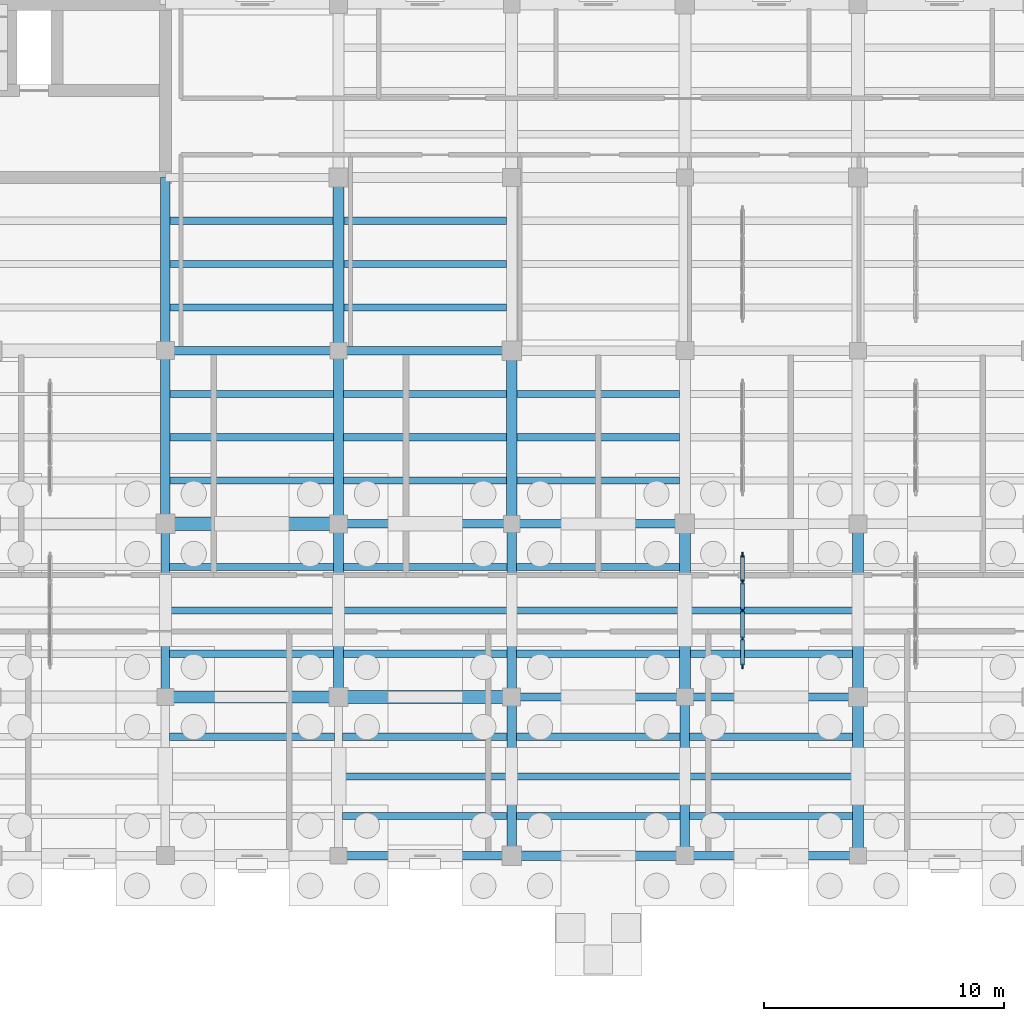
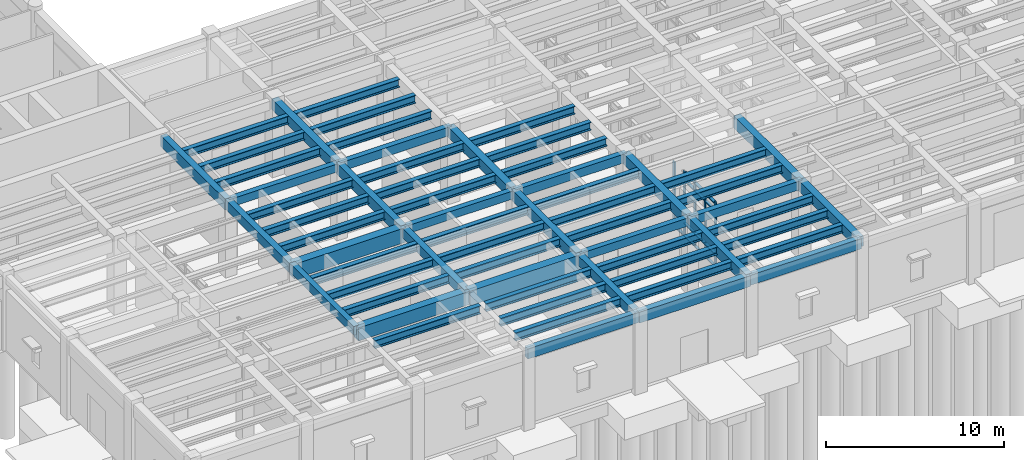
# One storey, part 16 of 100: 61 beams, 18 members, 1 element without a shape of its own.
"""IFC4 building model written with IfcOpenShell, lengths in metres."""

from ifc_helpers import new_model, si_unit, direction, frame, origin, origin_2d, place, context, subcontext, project, spatial, rectangle, i_section, extrude, material, material_profile, profile_set, type_object, element, aggregate, save


model = new_model("IFC4")

# Units and contexts
model_context = context("Model", 3, precision=1e-05, world=origin(), true_north=direction((0.0, 1.0)))
body_context = subcontext(model_context, "Body", "Model", "MODEL_VIEW")
ifc_project = project(units=[si_unit("LENGTHUNIT", "METRE"), si_unit("AREAUNIT", "SQUARE_METRE"), si_unit("VOLUMEUNIT", "CUBIC_METRE"), si_unit("PLANEANGLEUNIT", "RADIAN"), si_unit("MASSUNIT", "GRAM", prefix="KILO")], contexts=[model_context])

# Site, building, storey
site_placement = place(None, origin())
site = spatial("IfcSite", under=ifc_project, at=site_placement, CompositionType="ELEMENT")
building_placement = place(site_placement, origin())
building = spatial("IfcBuilding", under=site, at=building_placement, Name="Mithqara Police Headquarters", CompositionType="ELEMENT")
storey_placement = place(building_placement, origin())
storey = spatial("IfcBuildingStorey", under=building, at=storey_placement, Name="L00", CompositionType="ELEMENT", Elevation=0.0)

# Beams
ifc_material_1 = material(Name="Steel S355JR", Category="steel")
ifc_material_profile_1 = material_profile(ifc_material_1, i_section(OverallWidth=0.300048828125, OverallDepth=0.550048828125, WebThickness=0.014892578125, FlangeThickness=0.029052734375, FilletRadius=0.027099609375, at=origin_2d()), Name="HEB 550")
ifc_profile_set_1 = profile_set([ifc_material_profile_1], Name="Steel S355JR")
beam_type_1 = type_object("IfcBeamType", Name="BEAM HEB550", PredefinedType="BEAM", material=ifc_profile_set_1)
beam_1_placement = place(storey_placement, frame((94.375, 4.949951171875, 4.844970703125), z_axis=(1.0, 0.0, 0.0), x_axis=(0.0, 1.0, 0.0)))
element("IfcBeam", 1, at=beam_1_placement, inside=storey, type_object=beam_type_1, Name="L00 Composite Steel Joist 14-15/A.3", PredefinedType="BEAM", context=body_context, shape_type="SweptSolid", body=[
    extrude(i_section(OverallWidth=0.300048828125, OverallDepth=0.550048828125, WebThickness=0.014892578125, FlangeThickness=0.029052734375, FilletRadius=0.027099609375, at=origin_2d()), origin(), (0.0, 0.0, 1.0), 6.85009765625),
])
for number, where, z_axis, x_axis, name in (
    (2, (94.375, 8.39990234375, 4.844970703125), (1.0, 0.0, 0.0), (0.0, 1.0, 0.0), "L00 Composite Steel Joist 14-15/B.1"),
    (3, (94.375, 10.199951171875, 4.844970703125), (1.0, 0.0, 0.0), (0.0, 1.0, 0.0), "L00 Composite Steel Joist 14-15/B.2"),
    (4, (94.375, 12.0, 4.844970703125), (1.0, 0.0, 0.0), (0.0, 1.0, 0.0), "L00 Composite Steel Joist 14-15/B.3"),
):
    element("IfcBeam", number, at=place(storey_placement, frame(where, z_axis=z_axis, x_axis=x_axis)), inside=storey, type_object=beam_type_1, Name=name, PredefinedType="BEAM", context=body_context, shape_type="SweptSolid", body=[
        extrude(i_section(OverallWidth=0.300048828125, OverallDepth=0.550048828125, WebThickness=0.014892578125, FlangeThickness=0.029052734375, FilletRadius=0.027099609375, at=origin_2d()), origin(), (0.0, 0.0, 1.0), 6.824951171875),
    ])
for number, where, z_axis, x_axis, name in (
    (5, (94.39990234375, 15.60009765625, 4.844970703125), (1.0, 0.0, 0.0), (0.0, 1.0, 0.0), "L00 Composite Steel Joist 14-15/C.1"),
    (6, (94.39990234375, 17.39990234375, 4.844970703125), (1.0, 0.0, 0.0), (0.0, 1.0, 0.0), "L00 Composite Steel Joist 14-15/C.2"),
    (7, (94.39990234375, 19.199951171875, 4.844970703125), (1.0, 0.0, 0.0), (0.0, 1.0, 0.0), "L00 Composite Steel Joist 14-15/C.3"),
):
    element("IfcBeam", number, at=place(storey_placement, frame(where, z_axis=z_axis, x_axis=x_axis)), inside=storey, type_object=beam_type_1, Name=name, PredefinedType="BEAM", context=body_context, shape_type="SweptSolid", body=[
        extrude(i_section(OverallWidth=0.300048828125, OverallDepth=0.550048828125, WebThickness=0.014892578125, FlangeThickness=0.029052734375, FilletRadius=0.027099609375, at=origin_2d()), origin(), (0.0, 0.0, 1.0), 6.800048828125),
    ])
for number, where, z_axis, x_axis, name in (
    (8, (94.39990234375, 22.800048828125, 4.844970703125), (1.0, 0.0, 0.0), (0.0, 1.0, 0.0), "L00 Composite Steel Joist 14-15/D.1"),
    (9, (94.39990234375, 24.60009765625, 4.844970703125), (1.0, 0.0, 0.0), (0.0, 1.0, 0.0), "L00 Composite Steel Joist 14-15/D.2"),
    (10, (94.39990234375, 26.39990234375, 4.844970703125), (1.0, 0.0, 0.0), (0.0, 1.0, 0.0), "L00 Composite Steel Joist 14-15/D.3"),
):
    element("IfcBeam", number, at=place(storey_placement, frame(where, z_axis=z_axis, x_axis=x_axis)), inside=storey, type_object=beam_type_1, Name=name, PredefinedType="BEAM", context=body_context, shape_type="SweptSolid", body=[
        extrude(i_section(OverallWidth=0.300048828125, OverallDepth=0.550048828125, WebThickness=0.014892578125, FlangeThickness=0.029052734375, FilletRadius=0.027099609375, at=origin_2d()), origin(), (0.0, 0.0, 1.0), 6.775146484375),
    ])
for number, where, z_axis, x_axis, name in (
    (11, (101.574951171875, 1.64990234375, 4.844970703125), (1.0, 0.0, 0.0), (0.0, 1.0, 0.0), "L00 Composite Steel Joist 15-16/A.1"),
    (12, (101.574951171875, 3.300048828125, 4.844970703125), (1.0, 0.0, 0.0), (0.0, 1.0, 0.0), "L00 Composite Steel Joist 15-16/A.2"),
    (13, (101.574951171875, 4.949951171875, 4.844970703125), (1.0, 0.0, 0.0), (0.0, 1.0, 0.0), "L00 Composite Steel Joist 15-16/A.3"),
):
    element("IfcBeam", number, at=place(storey_placement, frame(where, z_axis=z_axis, x_axis=x_axis)), inside=storey, type_object=beam_type_1, Name=name, PredefinedType="BEAM", context=body_context, shape_type="SweptSolid", body=[
        extrude(i_section(OverallWidth=0.300048828125, OverallDepth=0.550048828125, WebThickness=0.014892578125, FlangeThickness=0.029052734375, FilletRadius=0.027099609375, at=origin_2d()), origin(), (0.0, 0.0, 1.0), 6.824951171875),
    ])
for number, where, z_axis, x_axis, name in (
    (14, (101.60009765625, 8.39990234375, 4.844970703125), (1.0, 0.0, 0.0), (0.0, 1.0, 0.0), "L00 Composite Steel Joist 15-16/B.1"),
    (15, (101.60009765625, 10.199951171875, 4.844970703125), (1.0, 0.0, 0.0), (0.0, 1.0, 0.0), "L00 Composite Steel Joist 15-16/B.2"),
    (16, (101.60009765625, 12.0, 4.844970703125), (1.0, 0.0, 0.0), (0.0, 1.0, 0.0), "L00 Composite Steel Joist 15-16/B.3"),
):
    element("IfcBeam", number, at=place(storey_placement, frame(where, z_axis=z_axis, x_axis=x_axis)), inside=storey, type_object=beam_type_1, Name=name, PredefinedType="BEAM", context=body_context, shape_type="SweptSolid", body=[
        extrude(i_section(OverallWidth=0.300048828125, OverallDepth=0.550048828125, WebThickness=0.014892578125, FlangeThickness=0.029052734375, FilletRadius=0.027099609375, at=origin_2d()), origin(), (0.0, 0.0, 1.0), 6.7998046875),
    ])
for number, where, z_axis, x_axis, name in (
    (17, (101.60009765625, 15.60009765625, 4.844970703125), (1.0, 0.0, 0.0), (0.0, 1.0, 0.0), "L00 Composite Steel Joist 15-16/C.1"),
    (18, (101.60009765625, 17.39990234375, 4.844970703125), (1.0, 0.0, 0.0), (0.0, 1.0, 0.0), "L00 Composite Steel Joist 15-16/C.2"),
    (19, (101.60009765625, 19.199951171875, 4.844970703125), (1.0, 0.0, 0.0), (0.0, 1.0, 0.0), "L00 Composite Steel Joist 15-16/C.3"),
):
    element("IfcBeam", number, at=place(storey_placement, frame(where, z_axis=z_axis, x_axis=x_axis)), inside=storey, type_object=beam_type_1, Name=name, PredefinedType="BEAM", context=body_context, shape_type="SweptSolid", body=[
        extrude(i_section(OverallWidth=0.300048828125, OverallDepth=0.550048828125, WebThickness=0.014892578125, FlangeThickness=0.029052734375, FilletRadius=0.027099609375, at=origin_2d()), origin(), (0.0, 0.0, 1.0), 6.77490234375),
    ])
for number, where, z_axis, x_axis, name in (
    (20, (101.625, 22.800048828125, 4.844970703125), (1.0, 0.0, 0.0), (0.0, 1.0, 0.0), "L00 Composite Steel Joist 15-16/D.1"),
    (21, (101.625, 24.60009765625, 4.844970703125), (1.0, 0.0, 0.0), (0.0, 1.0, 0.0), "L00 Composite Steel Joist 15-16/D.2"),
    (22, (101.625, 26.39990234375, 4.844970703125), (1.0, 0.0, 0.0), (0.0, 1.0, 0.0), "L00 Composite Steel Joist 15-16/D.3"),
):
    element("IfcBeam", number, at=place(storey_placement, frame(where, z_axis=z_axis, x_axis=x_axis)), inside=storey, type_object=beam_type_1, Name=name, PredefinedType="BEAM", context=body_context, shape_type="SweptSolid", body=[
        extrude(i_section(OverallWidth=0.300048828125, OverallDepth=0.550048828125, WebThickness=0.014892578125, FlangeThickness=0.029052734375, FilletRadius=0.027099609375, at=origin_2d()), origin(), (0.0, 0.0, 1.0), 6.75),
    ])
for number, where, z_axis, x_axis, name in (
    (23, (108.800048828125, 1.64990234375, 4.844970703125), (1.0, 0.0, 0.0), (0.0, 1.0, 0.0), "L00 Composite Steel Joist 16-17/A.1"),
    (24, (108.800048828125, 3.300048828125, 4.844970703125), (1.0, 0.0, 0.0), (0.0, 1.0, 0.0), "L00 Composite Steel Joist 16-17/A.2"),
    (25, (108.800048828125, 4.949951171875, 4.844970703125), (1.0, 0.0, 0.0), (0.0, 1.0, 0.0), "L00 Composite Steel Joist 16-17/A.3"),
):
    element("IfcBeam", number, at=place(storey_placement, frame(where, z_axis=z_axis, x_axis=x_axis)), inside=storey, type_object=beam_type_1, Name=name, PredefinedType="BEAM", context=body_context, shape_type="SweptSolid", body=[
        extrude(i_section(OverallWidth=0.300048828125, OverallDepth=0.550048828125, WebThickness=0.014892578125, FlangeThickness=0.029052734375, FilletRadius=0.027099609375, at=origin_2d()), origin(), (0.0, 0.0, 1.0), 6.800048828125),
    ])
for number, where, z_axis, x_axis, name in (
    (26, (108.800048828125, 8.39990234375, 4.844970703125), (1.0, 0.0, 0.0), (0.0, 1.0, 0.0), "L00 Composite Steel Joist 16-17/B.1"),
    (27, (108.800048828125, 10.199951171875, 4.844970703125), (1.0, 0.0, 0.0), (0.0, 1.0, 0.0), "L00 Composite Steel Joist 16-17/B.2"),
    (28, (108.800048828125, 12.0, 4.844970703125), (1.0, 0.0, 0.0), (0.0, 1.0, 0.0), "L00 Composite Steel Joist 16-17/B.3"),
):
    element("IfcBeam", number, at=place(storey_placement, frame(where, z_axis=z_axis, x_axis=x_axis)), inside=storey, type_object=beam_type_1, Name=name, PredefinedType="BEAM", context=body_context, shape_type="SweptSolid", body=[
        extrude(i_section(OverallWidth=0.300048828125, OverallDepth=0.550048828125, WebThickness=0.014892578125, FlangeThickness=0.029052734375, FilletRadius=0.027099609375, at=origin_2d()), origin(), (0.0, 0.0, 1.0), 6.77490234375),
    ])
for number, where, z_axis, x_axis, name in (
    (29, (108.824951171875, 15.60009765625, 4.844970703125), (1.0, 0.0, 0.0), (0.0, 1.0, 0.0), "L00 Composite Steel Joist 16-17/C.1"),
    (30, (108.824951171875, 17.39990234375, 4.844970703125), (1.0, 0.0, 0.0), (0.0, 1.0, 0.0), "L00 Composite Steel Joist 16-17/C.2"),
    (31, (108.824951171875, 19.199951171875, 4.844970703125), (1.0, 0.0, 0.0), (0.0, 1.0, 0.0), "L00 Composite Steel Joist 16-17/C.3"),
):
    element("IfcBeam", number, at=place(storey_placement, frame(where, z_axis=z_axis, x_axis=x_axis)), inside=storey, type_object=beam_type_1, Name=name, PredefinedType="BEAM", context=body_context, shape_type="SweptSolid", body=[
        extrude(i_section(OverallWidth=0.300048828125, OverallDepth=0.550048828125, WebThickness=0.014892578125, FlangeThickness=0.029052734375, FilletRadius=0.027099609375, at=origin_2d()), origin(), (0.0, 0.0, 1.0), 6.75),
    ])
for number, where, z_axis, x_axis, name in (
    (32, (116.0, 1.64990234375, 4.844970703125), (1.0, 0.0, 0.0), (0.0, 1.0, 0.0), "L00 Composite Steel Joist 17-18/A.1"),
    (33, (116.0, 3.300048828125, 4.844970703125), (1.0, 0.0, 0.0), (0.0, 1.0, 0.0), "L00 Composite Steel Joist 17-18/A.2"),
    (34, (116.0, 4.949951171875, 4.844970703125), (1.0, 0.0, 0.0), (0.0, 1.0, 0.0), "L00 Composite Steel Joist 17-18/A.3"),
):
    element("IfcBeam", number, at=place(storey_placement, frame(where, z_axis=z_axis, x_axis=x_axis)), inside=storey, type_object=beam_type_1, Name=name, PredefinedType="BEAM", context=body_context, shape_type="SweptSolid", body=[
        extrude(i_section(OverallWidth=0.300048828125, OverallDepth=0.550048828125, WebThickness=0.014892578125, FlangeThickness=0.029052734375, FilletRadius=0.027099609375, at=origin_2d()), origin(), (0.0, 0.0, 1.0), 6.77490234375),
    ])
for number, where, z_axis, x_axis, name in (
    (35, (116.02490234375, 8.39990234375, 4.844970703125), (1.0, 0.0, 0.0), (0.0, 1.0, 0.0), "L00 Composite Steel Joist 17-18/B.1"),
    (36, (116.02490234375, 10.199951171875, 4.844970703125), (1.0, 0.0, 0.0), (0.0, 1.0, 0.0), "L00 Composite Steel Joist 17-18/B.2"),
):
    element("IfcBeam", number, at=place(storey_placement, frame(where, z_axis=z_axis, x_axis=x_axis)), inside=storey, type_object=beam_type_1, Name=name, PredefinedType="BEAM", context=body_context, shape_type="SweptSolid", body=[
        extrude(i_section(OverallWidth=0.300048828125, OverallDepth=0.550048828125, WebThickness=0.014892578125, FlangeThickness=0.029052734375, FilletRadius=0.027099609375, at=origin_2d()), origin(), (0.0, 0.0, 1.0), 6.75),
    ])
ifc_material_2 = material(Name="Concrete C40/50", Category="concrete")
ifc_material_profile_2 = material_profile(ifc_material_2, rectangle(XDim=0.35009765625, YDim=0.550048828125, at=origin_2d()), Name="RC 350x550")
ifc_profile_set_2 = profile_set([ifc_material_profile_2], Name="Concrete C40/50")
beam_type_2 = type_object("IfcBeamType", Name="BEAM RC350X550", PredefinedType="BEAM", material=ifc_profile_set_2)
beam_2_placement = place(storey_placement, frame((94.199951171875, 21.0, 4.844970703125), z_axis=(1.0, 0.0, 0.0), x_axis=(0.0, 1.0, 0.0)))
element("IfcBeam", 37, at=beam_2_placement, inside=storey, type_object=beam_type_2, Name="L00 Girder 14-15/D", PredefinedType="BEAM", context=body_context, shape_type="SweptSolid", body=[
    extrude(rectangle(XDim=0.35009765625, YDim=0.550048828125, at=origin_2d()), origin(), (0.0, 0.0, 1.0), 7.199951171875),
])
beam_3_placement = place(storey_placement, frame((101.39990234375, 13.800048828125, 4.844970703125), z_axis=(1.0, 0.0, 0.0), x_axis=(0.0, 1.0, 0.0)))
element("IfcBeam", 38, at=beam_3_placement, inside=storey, type_object=beam_type_2, Name="L00 Girder 15-16/C", PredefinedType="BEAM", context=body_context, shape_type="SweptSolid", body=[
    extrude(rectangle(XDim=0.35009765625, YDim=0.550048828125, at=origin_2d()), origin(), (0.0, 0.0, 1.0), 7.2001953125),
])
beam_4_placement = place(storey_placement, frame((108.60009765625, 6.60009765625, 4.844970703125), z_axis=(1.0, 0.0, 0.0), x_axis=(0.0, 1.0, 0.0)))
element("IfcBeam", 39, at=beam_4_placement, inside=storey, type_object=beam_type_2, Name="L00 Girder 16-17/B", PredefinedType="BEAM", context=body_context, shape_type="SweptSolid", body=[
    extrude(rectangle(XDim=0.35009765625, YDim=0.550048828125, at=origin_2d()), origin(), (0.0, 0.0, 1.0), 7.199951171875),
])
ifc_material_profile_3 = material_profile(ifc_material_2, rectangle(XDim=0.35009765625, YDim=0.60009765625, at=origin_2d()), Name="RC 350x600")
ifc_profile_set_3 = profile_set([ifc_material_profile_3], Name="Concrete C40/50")
beam_type_3 = type_object("IfcBeamType", Name="BEAM RC350X600", PredefinedType="BEAM", material=ifc_profile_set_3)
beam_5_placement = place(storey_placement, frame((94.199951171875, 6.60009765625, 4.820068359375), z_axis=(0.0, 1.0, 0.0), x_axis=(-1.0, 0.0, 0.0)))
element("IfcBeam", 40, at=beam_5_placement, inside=storey, type_object=beam_type_3, Name="L00 Girder 14/B-C", PredefinedType="BEAM", context=body_context, shape_type="SweptSolid", body=[
    extrude(rectangle(XDim=0.35009765625, YDim=0.60009765625, at=origin_2d()), origin(), (0.0, 0.0, 1.0), 7.199951171875),
])
beam_6_placement = place(storey_placement, frame((101.39990234375, 21.0, 4.820068359375), z_axis=(1.0, 0.0, 0.0), x_axis=(0.0, 1.0, 0.0)))
element("IfcBeam", 41, at=beam_6_placement, inside=storey, type_object=beam_type_3, Name="L00 Girder 15-16/D", PredefinedType="BEAM", context=body_context, shape_type="SweptSolid", body=[
    extrude(rectangle(XDim=0.35009765625, YDim=0.60009765625, at=origin_2d()), origin(), (0.0, 0.0, 1.0), 7.2001953125),
])
for number, where, z_axis, x_axis, name in (
    (42, (108.60009765625, 13.800048828125, 4.820068359375), (1.0, 0.0, 0.0), (0.0, 1.0, 0.0), "L00 Girder 16-17/C"),
    (43, (115.800048828125, 6.60009765625, 4.820068359375), (1.0, 0.0, 0.0), (0.0, 1.0, 0.0), "L00 Girder 17-18/B"),
):
    element("IfcBeam", number, at=place(storey_placement, frame(where, z_axis=z_axis, x_axis=x_axis)), inside=storey, type_object=beam_type_3, Name=name, PredefinedType="BEAM", context=body_context, shape_type="SweptSolid", body=[
        extrude(rectangle(XDim=0.35009765625, YDim=0.60009765625, at=origin_2d()), origin(), (0.0, 0.0, 1.0), 7.199951171875),
    ])
ifc_material_profile_4 = material_profile(ifc_material_2, rectangle(XDim=0.39990234375, YDim=0.64990234375, at=origin_2d()), Name="RC 400x650")
ifc_profile_set_4 = profile_set([ifc_material_profile_4], Name="Concrete C40/50")
beam_type_4 = type_object("IfcBeamType", Name="BEAM RC400X650", PredefinedType="BEAM", material=ifc_profile_set_4)
for number, where, z_axis, x_axis, name in (
    (44, (94.199951171875, 13.800048828125, 4.794921875), (0.0, 1.0, 0.0), (-1.0, 0.0, 0.0), "L00 Girder 14/C-D"),
    (45, (101.39990234375, 6.60009765625, 4.794921875), (0.0, 1.0, 0.0), (-1.0, 0.0, 0.0), "L00 Girder 15/B-C"),
):
    element("IfcBeam", number, at=place(storey_placement, frame(where, z_axis=z_axis, x_axis=x_axis)), inside=storey, type_object=beam_type_4, Name=name, PredefinedType="BEAM", context=body_context, shape_type="SweptSolid", body=[
        extrude(rectangle(XDim=0.39990234375, YDim=0.64990234375, at=origin_2d()), origin(), (0.0, 0.0, 1.0), 7.199951171875),
    ])
beam_7_placement = place(storey_placement, frame((108.60009765625, 0.0, 4.794921875), z_axis=(0.0, 1.0, 0.0), x_axis=(-1.0, 0.0, 0.0)))
element("IfcBeam", 46, at=beam_7_placement, inside=storey, type_object=beam_type_4, Name="L00 Girder 16/A-B", PredefinedType="BEAM", context=body_context, shape_type="SweptSolid", body=[
    extrude(rectangle(XDim=0.39990234375, YDim=0.64990234375, at=origin_2d()), origin(), (0.0, 0.0, 1.0), 6.60009765625),
])
ifc_material_profile_5 = material_profile(ifc_material_2, rectangle(XDim=0.39990234375, YDim=0.75, at=origin_2d()), Name="RC 400x750")
ifc_profile_set_5 = profile_set([ifc_material_profile_5], Name="Concrete C40/50")
beam_type_5 = type_object("IfcBeamType", Name="BEAM RC400X750", PredefinedType="BEAM", material=ifc_profile_set_5)
for number, where, z_axis, x_axis, name in (
    (47, (94.199951171875, 21.0, 4.7451171875), (0.0, 1.0, 0.0), (-1.0, 0.0, 0.0), "L00 Girder 14/D-E"),
    (48, (101.39990234375, 13.800048828125, 4.7451171875), (0.0, 1.0, 0.0), (-1.0, 0.0, 0.0), "L00 Girder 15/C-D"),
    (49, (108.60009765625, 6.60009765625, 4.7451171875), (0.0, 1.0, 0.0), (-1.0, 0.0, 0.0), "L00 Girder 16/B-C"),
):
    element("IfcBeam", number, at=place(storey_placement, frame(where, z_axis=z_axis, x_axis=x_axis)), inside=storey, type_object=beam_type_5, Name=name, PredefinedType="BEAM", context=body_context, shape_type="SweptSolid", body=[
        extrude(rectangle(XDim=0.39990234375, YDim=0.75, at=origin_2d()), origin(), (0.0, 0.0, 1.0), 7.199951171875),
    ])
beam_8_placement = place(storey_placement, frame((115.800048828125, 0.0, 4.7451171875), z_axis=(0.0, 1.0, 0.0), x_axis=(-1.0, 0.0, 0.0)))
element("IfcBeam", 50, at=beam_8_placement, inside=storey, type_object=beam_type_5, Name="L00 Girder 17/A-B", PredefinedType="BEAM", context=body_context, shape_type="SweptSolid", body=[
    extrude(rectangle(XDim=0.39990234375, YDim=0.75, at=origin_2d()), origin(), (0.0, 0.0, 1.0), 6.60009765625),
])
ifc_material_profile_6 = material_profile(ifc_material_2, rectangle(XDim=0.449951171875, YDim=0.699951171875, at=origin_2d()), Name="RC 450x700")
ifc_profile_set_6 = profile_set([ifc_material_profile_6], Name="Concrete C40/50")
beam_type_6 = type_object("IfcBeamType", Name="BEAM RC450X700", PredefinedType="BEAM", material=ifc_profile_set_6)
for number, where, z_axis, x_axis, name in (
    (51, (101.39990234375, 21.0, 4.77001953125), (0.0, 1.0, 0.0), (-1.0, 0.0, 0.0), "L00 Girder 15/D-E"),
    (52, (108.60009765625, 13.800048828125, 4.77001953125), (0.0, 1.0, 0.0), (-1.0, 0.0, 0.0), "L00 Girder 16/C-D"),
    (53, (115.800048828125, 6.60009765625, 4.77001953125), (0.0, 1.0, 0.0), (-1.0, 0.0, 0.0), "L00 Girder 17/B-C"),
):
    element("IfcBeam", number, at=place(storey_placement, frame(where, z_axis=z_axis, x_axis=x_axis)), inside=storey, type_object=beam_type_6, Name=name, PredefinedType="BEAM", context=body_context, shape_type="SweptSolid", body=[
        extrude(rectangle(XDim=0.449951171875, YDim=0.699951171875, at=origin_2d()), origin(), (0.0, 0.0, 1.0), 7.199951171875),
    ])
beam_9_placement = place(storey_placement, frame((123.0, 0.0, 4.77001953125), z_axis=(0.0, 1.0, 0.0), x_axis=(-1.0, 0.0, 0.0)))
element("IfcBeam", 54, at=beam_9_placement, inside=storey, type_object=beam_type_6, Name="L00 Girder 18/A-B", PredefinedType="BEAM", context=body_context, shape_type="SweptSolid", body=[
    extrude(rectangle(XDim=0.449951171875, YDim=0.699951171875, at=origin_2d()), origin(), (0.0, 0.0, 1.0), 6.60009765625),
])
ifc_material_profile_7 = material_profile(ifc_material_2, rectangle(XDim=0.449951171875, YDim=0.800048828125, at=origin_2d()), Name="RC 450x800")
ifc_profile_set_7 = profile_set([ifc_material_profile_7], Name="Concrete C40/50")
beam_type_7 = type_object("IfcBeamType", Name="BEAM RC450X800", PredefinedType="BEAM", material=ifc_profile_set_7)
beam_10_placement = place(storey_placement, frame((123.0, 6.60009765625, 4.719970703125), z_axis=(0.0, 1.0, 0.0), x_axis=(-1.0, 0.0, 0.0)))
element("IfcBeam", 55, at=beam_10_placement, inside=storey, type_object=beam_type_7, Name="L00 Girder 18/B-C", PredefinedType="BEAM", context=body_context, shape_type="SweptSolid", body=[
    extrude(rectangle(XDim=0.449951171875, YDim=0.800048828125, at=origin_2d()), origin(), (0.0, 0.0, 1.0), 7.199951171875),
])
ifc_material_3 = material(Name="Concrete C50/60", Category="concrete")
ifc_material_profile_8 = material_profile(ifc_material_3, rectangle(XDim=0.5, YDim=0.89990234375, at=origin_2d()), Name="RC 500x900")
ifc_profile_set_8 = profile_set([ifc_material_profile_8], Name="Concrete C50/60")
beam_type_8 = type_object("IfcBeamType", Name="BEAM RC500X900", PredefinedType="BEAM", material=ifc_profile_set_8)
beam_11_placement = place(storey_placement, frame((94.199951171875, 6.60009765625, 4.669921875), z_axis=(1.0, 0.0, 0.0), x_axis=(0.0, 1.0, 0.0)))
element("IfcBeam", 56, at=beam_11_placement, inside=storey, type_object=beam_type_8, Name="L00 Girder 14-15/B", PredefinedType="BEAM", context=body_context, shape_type="SweptSolid", body=[
    extrude(rectangle(XDim=0.5, YDim=0.89990234375, at=origin_2d()), origin(), (0.0, 0.0, 1.0), 7.199951171875),
])
ifc_material_profile_9 = material_profile(ifc_material_3, rectangle(XDim=0.550048828125, YDim=1.0, at=origin_2d()), Name="RC 550x1000")
ifc_profile_set_9 = profile_set([ifc_material_profile_9], Name="Concrete C50/60")
beam_type_9 = type_object("IfcBeamType", Name="BEAM RC550X1000", PredefinedType="BEAM", material=ifc_profile_set_9)
beam_12_placement = place(storey_placement, frame((94.199951171875, 13.800048828125, 4.6201171875), z_axis=(1.0, 0.0, 0.0), x_axis=(0.0, 1.0, 0.0)))
element("IfcBeam", 57, at=beam_12_placement, inside=storey, type_object=beam_type_9, Name="L00 Girder 14-15/C", PredefinedType="BEAM", context=body_context, shape_type="SweptSolid", body=[
    extrude(rectangle(XDim=0.550048828125, YDim=1.0, at=origin_2d()), origin(), (0.0, 0.0, 1.0), 7.199951171875),
])
beam_13_placement = place(storey_placement, frame((101.39990234375, 6.60009765625, 4.6201171875), z_axis=(1.0, 0.0, 0.0), x_axis=(0.0, 1.0, 0.0)))
element("IfcBeam", 58, at=beam_13_placement, inside=storey, type_object=beam_type_9, Name="L00 Girder 15-16/B", PredefinedType="BEAM", context=body_context, shape_type="SweptSolid", body=[
    extrude(rectangle(XDim=0.550048828125, YDim=1.0, at=origin_2d()), origin(), (0.0, 0.0, 1.0), 7.2001953125),
])

# Curtain wall, members
ifc_material_4 = material(Name="Bronze anodised aluminium 6063-T6", Category="aluminium")
curtain_wall_type = type_object("IfcCurtainWallType", Name="CURTAIN WALL 4700X4400", PredefinedType="USERDEFINED", material=ifc_material_4)
curtain_wall_placement = place(storey_placement, origin())
curtain_wall = element("IfcCurtainWall", 59, at=curtain_wall_placement, inside=storey, type_object=curtain_wall_type, Name="L00 Unitised Glazing CW-14 (CW-INT-L00-X16-Y01-0)", ObjectType="UNITISED GLAZING", PredefinedType="USERDEFINED")
ifc_material_profile_10 = material_profile(ifc_material_4, rectangle(XDim=0.074951171875, YDim=0.219970703125, at=origin_2d()), Name="CWM 75x220")
ifc_profile_set_10 = profile_set([ifc_material_profile_10], Name="Bronze anodised aluminium 6063-T6")
member_type_1 = type_object("IfcMemberType", Name="CWMULLION 75X220", PredefinedType="MULLION", material=ifc_profile_set_10)
member_1_placement = place(storey_placement, frame((118.199951171875, 7.887451171875, 0.0), z_axis=(0.0, 0.0, 1.0), x_axis=(-1.0, 0.0, 0.0)))
member_1 = element("IfcMember", 60, at=member_1_placement, type_object=member_type_1, Name="CW-14 mullion 1", PredefinedType="MULLION", context=body_context, shape_type="SweptSolid", body=[
    extrude(rectangle(XDim=0.074951171875, YDim=0.219970703125, at=origin_2d()), origin(), (0.0, 0.0, 1.0), 4.39990234375),
])
member_2_placement = place(storey_placement, frame((118.199951171875, 9.02490234375, 0.0), z_axis=(0.0, 0.0, 1.0), x_axis=(-1.0, 0.0, 0.0)))
member_2 = element("IfcMember", 61, at=member_2_placement, type_object=member_type_1, Name="CW-14 mullion 2", PredefinedType="MULLION", context=body_context, shape_type="SweptSolid", body=[
    extrude(rectangle(XDim=0.074951171875, YDim=0.219970703125, at=origin_2d()), origin(), (0.0, 0.0, 1.0), 4.39990234375),
])
member_3_placement = place(storey_placement, frame((118.199951171875, 10.199951171875, 0.0), z_axis=(0.0, 0.0, 1.0), x_axis=(-1.0, 0.0, 0.0)))
member_3 = element("IfcMember", 62, at=member_3_placement, type_object=member_type_1, Name="CW-14 mullion 3", PredefinedType="MULLION", context=body_context, shape_type="SweptSolid", body=[
    extrude(rectangle(XDim=0.074951171875, YDim=0.219970703125, at=origin_2d()), origin(), (0.0, 0.0, 1.0), 4.39990234375),
])
member_4_placement = place(storey_placement, frame((118.199951171875, 11.375, 0.0), z_axis=(0.0, 0.0, 1.0), x_axis=(-1.0, 0.0, 0.0)))
member_4 = element("IfcMember", 63, at=member_4_placement, type_object=member_type_1, Name="CW-14 mullion 4", PredefinedType="MULLION", context=body_context, shape_type="SweptSolid", body=[
    extrude(rectangle(XDim=0.074951171875, YDim=0.219970703125, at=origin_2d()), origin(), (0.0, 0.0, 1.0), 4.39990234375),
])
member_5_placement = place(storey_placement, frame((118.199951171875, 12.512451171875, 0.0), z_axis=(0.0, 0.0, 1.0), x_axis=(-1.0, 0.0, 0.0)))
member_5 = element("IfcMember", 64, at=member_5_placement, type_object=member_type_1, Name="CW-14 mullion 5", PredefinedType="MULLION", context=body_context, shape_type="SweptSolid", body=[
    extrude(rectangle(XDim=0.074951171875, YDim=0.219970703125, at=origin_2d()), origin(), (0.0, 0.0, 1.0), 4.39990234375),
])
ifc_material_profile_11 = material_profile(ifc_material_4, rectangle(XDim=0.179931640625, YDim=0.074951171875, at=origin_2d()), Name="CWT 180x75")
ifc_profile_set_11 = profile_set([ifc_material_profile_11], Name="Bronze anodised aluminium 6063-T6")
member_type_2 = type_object("IfcMemberType", Name="CWTRANSOM 180X75", PredefinedType="USERDEFINED", material=ifc_profile_set_11)
member_6_placement = place(storey_placement, frame((118.199951171875, 7.925048828125, 0.03759765625), z_axis=(0.0, 1.0, 0.0), x_axis=(-1.0, 0.0, 0.0)))
member_6 = element("IfcMember", 65, at=member_6_placement, type_object=member_type_2, Name="CW-14 transom 1.1", ObjectType="TRANSOM", PredefinedType="USERDEFINED", context=body_context, shape_type="SweptSolid", body=[
    extrude(rectangle(XDim=0.179931640625, YDim=0.074951171875, at=origin_2d()), origin(), (0.0, 0.0, 1.0), 1.0625),
])
member_7_placement = place(storey_placement, frame((118.199951171875, 7.925048828125, 0.89990234375), z_axis=(0.0, 1.0, 0.0), x_axis=(-1.0, 0.0, 0.0)))
member_7 = element("IfcMember", 66, at=member_7_placement, type_object=member_type_2, Name="CW-14 transom 1.2", ObjectType="TRANSOM", PredefinedType="USERDEFINED", context=body_context, shape_type="SweptSolid", body=[
    extrude(rectangle(XDim=0.179931640625, YDim=0.074951171875, at=origin_2d()), origin(), (0.0, 0.0, 1.0), 1.0625),
])
member_8_placement = place(storey_placement, frame((118.199951171875, 7.925048828125, 3.85009765625), z_axis=(0.0, 1.0, 0.0), x_axis=(-1.0, 0.0, 0.0)))
member_8 = element("IfcMember", 67, at=member_8_placement, type_object=member_type_2, Name="CW-14 transom 1.3", ObjectType="TRANSOM", PredefinedType="USERDEFINED", context=body_context, shape_type="SweptSolid", body=[
    extrude(rectangle(XDim=0.179931640625, YDim=0.074951171875, at=origin_2d()), origin(), (0.0, 0.0, 1.0), 1.0625),
])
member_9_placement = place(storey_placement, frame((118.199951171875, 7.925048828125, 4.362548828125), z_axis=(0.0, 1.0, 0.0), x_axis=(-1.0, 0.0, 0.0)))
member_9 = element("IfcMember", 68, at=member_9_placement, type_object=member_type_2, Name="CW-14 transom 1.4", ObjectType="TRANSOM", PredefinedType="USERDEFINED", context=body_context, shape_type="SweptSolid", body=[
    extrude(rectangle(XDim=0.179931640625, YDim=0.074951171875, at=origin_2d()), origin(), (0.0, 0.0, 1.0), 1.0625),
])
member_10_placement = place(storey_placement, frame((118.199951171875, 9.0625, 0.03759765625), z_axis=(0.0, 1.0, 0.0), x_axis=(-1.0, 0.0, 0.0)))
member_10 = element("IfcMember", 69, at=member_10_placement, type_object=member_type_2, Name="CW-14 transom 2.1", ObjectType="TRANSOM", PredefinedType="USERDEFINED", context=body_context, shape_type="SweptSolid", body=[
    extrude(rectangle(XDim=0.179931640625, YDim=0.074951171875, at=origin_2d()), origin(), (0.0, 0.0, 1.0), 1.10009765625),
])
member_11_placement = place(storey_placement, frame((118.199951171875, 9.0625, 0.89990234375), z_axis=(0.0, 1.0, 0.0), x_axis=(-1.0, 0.0, 0.0)))
member_11 = element("IfcMember", 70, at=member_11_placement, type_object=member_type_2, Name="CW-14 transom 2.2", ObjectType="TRANSOM", PredefinedType="USERDEFINED", context=body_context, shape_type="SweptSolid", body=[
    extrude(rectangle(XDim=0.179931640625, YDim=0.074951171875, at=origin_2d()), origin(), (0.0, 0.0, 1.0), 1.10009765625),
])
member_12_placement = place(storey_placement, frame((118.199951171875, 9.0625, 3.85009765625), z_axis=(0.0, 1.0, 0.0), x_axis=(-1.0, 0.0, 0.0)))
member_12 = element("IfcMember", 71, at=member_12_placement, type_object=member_type_2, Name="CW-14 transom 2.3", ObjectType="TRANSOM", PredefinedType="USERDEFINED", context=body_context, shape_type="SweptSolid", body=[
    extrude(rectangle(XDim=0.179931640625, YDim=0.074951171875, at=origin_2d()), origin(), (0.0, 0.0, 1.0), 1.10009765625),
])
member_13_placement = place(storey_placement, frame((118.199951171875, 9.0625, 4.362548828125), z_axis=(0.0, 1.0, 0.0), x_axis=(-1.0, 0.0, 0.0)))
member_13 = element("IfcMember", 72, at=member_13_placement, type_object=member_type_2, Name="CW-14 transom 2.4", ObjectType="TRANSOM", PredefinedType="USERDEFINED", context=body_context, shape_type="SweptSolid", body=[
    extrude(rectangle(XDim=0.179931640625, YDim=0.074951171875, at=origin_2d()), origin(), (0.0, 0.0, 1.0), 1.10009765625),
])
member_14_placement = place(storey_placement, frame((118.199951171875, 10.237548828125, 0.03759765625), z_axis=(0.0, 1.0, 0.0), x_axis=(-1.0, 0.0, 0.0)))
member_14 = element("IfcMember", 73, at=member_14_placement, type_object=member_type_2, Name="CW-14 transom 3.1", ObjectType="TRANSOM", PredefinedType="USERDEFINED", context=body_context, shape_type="SweptSolid", body=[
    extrude(rectangle(XDim=0.179931640625, YDim=0.074951171875, at=origin_2d()), origin(), (0.0, 0.0, 1.0), 1.099853515625),
])
member_15_placement = place(storey_placement, frame((118.199951171875, 10.237548828125, 0.89990234375), z_axis=(0.0, 1.0, 0.0), x_axis=(-1.0, 0.0, 0.0)))
member_15 = element("IfcMember", 74, at=member_15_placement, type_object=member_type_2, Name="CW-14 transom 3.2", ObjectType="TRANSOM", PredefinedType="USERDEFINED", context=body_context, shape_type="SweptSolid", body=[
    extrude(rectangle(XDim=0.179931640625, YDim=0.074951171875, at=origin_2d()), origin(), (0.0, 0.0, 1.0), 1.099853515625),
])
member_16_placement = place(storey_placement, frame((118.199951171875, 10.237548828125, 3.85009765625), z_axis=(0.0, 1.0, 0.0), x_axis=(-1.0, 0.0, 0.0)))
member_16 = element("IfcMember", 75, at=member_16_placement, type_object=member_type_2, Name="CW-14 transom 3.3", ObjectType="TRANSOM", PredefinedType="USERDEFINED", context=body_context, shape_type="SweptSolid", body=[
    extrude(rectangle(XDim=0.179931640625, YDim=0.074951171875, at=origin_2d()), origin(), (0.0, 0.0, 1.0), 1.099853515625),
])
member_17_placement = place(storey_placement, frame((118.199951171875, 10.237548828125, 4.362548828125), z_axis=(0.0, 1.0, 0.0), x_axis=(-1.0, 0.0, 0.0)))
member_17 = element("IfcMember", 76, at=member_17_placement, type_object=member_type_2, Name="CW-14 transom 3.4", ObjectType="TRANSOM", PredefinedType="USERDEFINED", context=body_context, shape_type="SweptSolid", body=[
    extrude(rectangle(XDim=0.179931640625, YDim=0.074951171875, at=origin_2d()), origin(), (0.0, 0.0, 1.0), 1.099853515625),
])
member_18_placement = place(storey_placement, frame((118.199951171875, 11.41259765625, 0.03759765625), z_axis=(0.0, 1.0, 0.0), x_axis=(-1.0, 0.0, 0.0)))
member_18 = element("IfcMember", 77, at=member_18_placement, type_object=member_type_2, Name="CW-14 transom 4.1", ObjectType="TRANSOM", PredefinedType="USERDEFINED", context=body_context, shape_type="SweptSolid", body=[
    extrude(rectangle(XDim=0.179931640625, YDim=0.074951171875, at=origin_2d()), origin(), (0.0, 0.0, 1.0), 1.0625),
])
aggregate(curtain_wall, [member_1, member_2, member_3, member_4, member_5, member_6, member_7, member_8, member_9, member_10, member_11, member_12, member_13, member_14, member_15, member_16, member_17, member_18])

# Beams
ifc_material_profile_12 = material_profile(ifc_material_2, rectangle(XDim=0.35009765625, YDim=0.699951171875, at=origin_2d()), Name="SPB 350x700")
ifc_profile_set_12 = profile_set([ifc_material_profile_12], Name="Concrete C40/50")
beam_type_10 = type_object("IfcBeamType", Name="SPANDREL 350X700", PredefinedType="SPANDREL", material=ifc_profile_set_12)
beam_14_placement = place(storey_placement, frame((101.39990234375, 0.0, 4.77001953125), z_axis=(1.0, 0.0, 0.0), x_axis=(0.0, 1.0, 0.0)))
element("IfcBeam", 78, at=beam_14_placement, inside=storey, type_object=beam_type_10, Name="L00 Girder 15-16/A", PredefinedType="SPANDREL", context=body_context, shape_type="SweptSolid", body=[
    extrude(rectangle(XDim=0.35009765625, YDim=0.699951171875, at=origin_2d()), origin(), (0.0, 0.0, 1.0), 7.2001953125),
])
beam_15_placement = place(storey_placement, frame((115.800048828125, 0.0, 4.77001953125), z_axis=(1.0, 0.0, 0.0), x_axis=(0.0, 1.0, 0.0)))
element("IfcBeam", 79, at=beam_15_placement, inside=storey, type_object=beam_type_10, Name="L00 Girder 17-18/A", PredefinedType="SPANDREL", context=body_context, shape_type="SweptSolid", body=[
    extrude(rectangle(XDim=0.35009765625, YDim=0.699951171875, at=origin_2d()), origin(), (0.0, 0.0, 1.0), 7.199951171875),
])
ifc_material_profile_13 = material_profile(ifc_material_2, rectangle(XDim=0.39990234375, YDim=0.75, at=origin_2d()), Name="SPB 400x750")
ifc_profile_set_13 = profile_set([ifc_material_profile_13], Name="Concrete C40/50")
beam_type_11 = type_object("IfcBeamType", Name="SPANDREL 400X750", PredefinedType="SPANDREL", material=ifc_profile_set_13)
beam_16_placement = place(storey_placement, frame((108.60009765625, 0.0, 4.7451171875), z_axis=(1.0, 0.0, 0.0), x_axis=(0.0, 1.0, 0.0)))
element("IfcBeam", 80, at=beam_16_placement, inside=storey, type_object=beam_type_11, Name="L00 Girder 16-17/A", PredefinedType="SPANDREL", context=body_context, shape_type="SweptSolid", body=[
    extrude(rectangle(XDim=0.39990234375, YDim=0.75, at=origin_2d()), origin(), (0.0, 0.0, 1.0), 7.199951171875),
])

save(model, "model.ifc")
